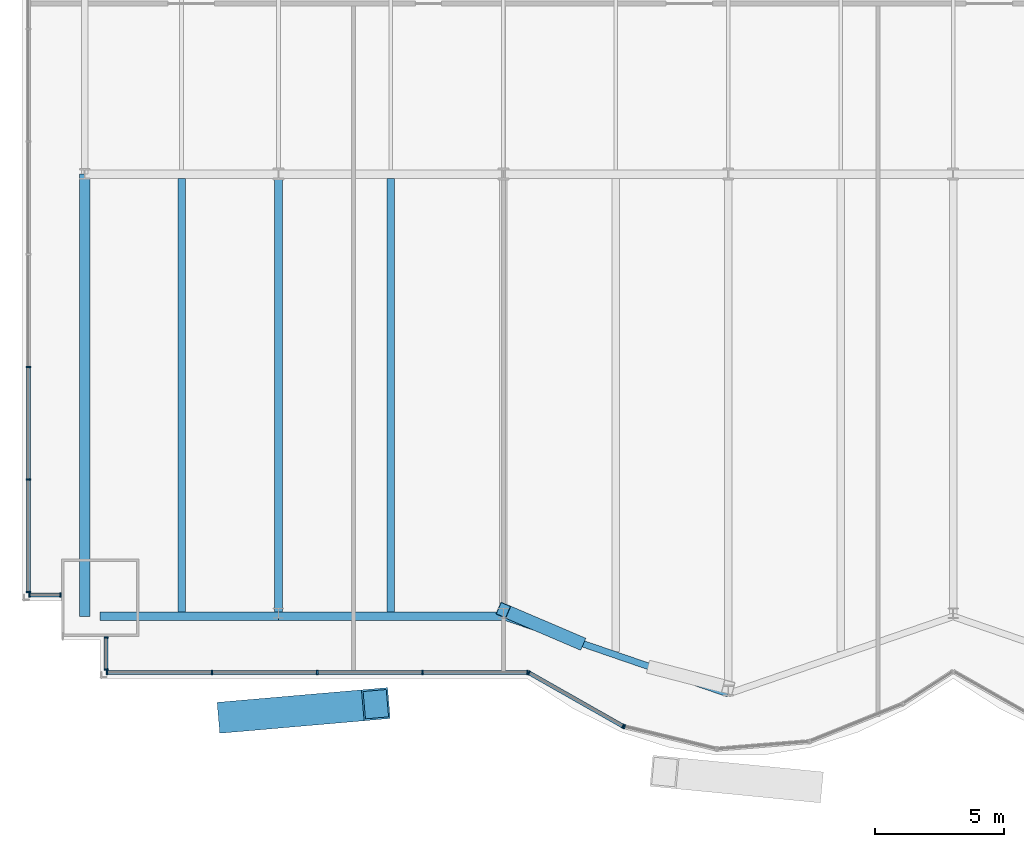
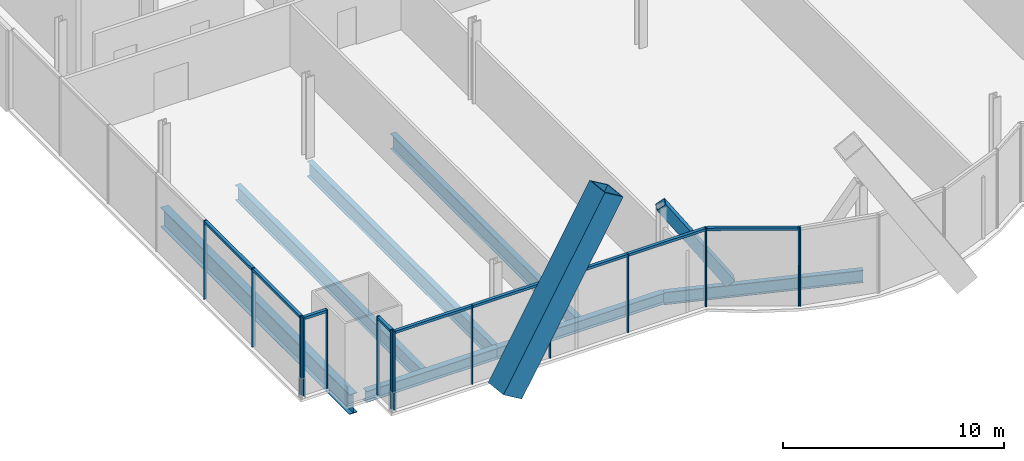
# One storey, part 4 of 23: 26 members, 7 beams, 5 elements without a shape of their own.
"""IFC4 building model written with IfcOpenShell, lengths in metres."""

import ifcopenshell
import ifcopenshell.guid

model = None  # the IFC model being written
_history = None  # IfcOwnerHistory: only IFC2X3 demands one
_inside = {}  # id of a spatial element -> (the spatial element, [elements in it])
_under = {}  # id of a project, library or spatial element -> (it, [spatial elements below it])
_declared = {}  # id of a project -> (the project, [libraries it declares])
_typed = {}  # id of a type object -> (the type object, [elements of that type])
_made_of = {}  # id of a material, layer set ... -> (it, [elements and type objects made of it])


def new_model(schema):
    """Start an empty IFC model of exactly this schema.

    Asked for "IFC4X3", IfcOpenShell would pick the latest addendum, in which some entities
    have other attributes; the version numbers below select the first issue.
    IFC2X3 requires an IfcOwnerHistory on every rooted entity: one is made here for all.
    """
    global model, _history
    if schema == "IFC4X3":
        model = ifcopenshell.file(schema_version=(4, 3, 0, 0))
    else:
        model = ifcopenshell.file(schema=schema)
    _inside.clear()
    _under.clear()
    _declared.clear()
    _typed.clear()
    _made_of.clear()
    _history = None
    if model.schema == "IFC2X3":
        org = make("IfcOrganization", Name="unknown")
        user = make(
            "IfcPersonAndOrganization",
            ThePerson=make("IfcPerson", FamilyName="unknown"),
            TheOrganization=org,
        )
        app = make(
            "IfcApplication",
            ApplicationDeveloper=org,
            Version="unknown",
            ApplicationFullName="unknown",
            ApplicationIdentifier="unknown",
        )
        _history = make(
            "IfcOwnerHistory",
            OwningUser=user,
            OwningApplication=app,
            ChangeAction="ADDED",
            CreationDate=0,
        )
    return model


def make(cls, **values):
    """One entity of the class cls with the attributes given. An attribute that is None is left unset."""
    return model.create_entity(
        cls, **{name: value for name, value in values.items() if value is not None}
    )


def rooted(cls, **values):
    """An entity with a GlobalId (a new one), such as an element, a storey or a relation."""
    return make(cls, GlobalId=ifcopenshell.guid.new(), OwnerHistory=_history, **values)


def si_unit(unit_type, name, prefix=None):
    """IfcSIUnit, for example si_unit("LENGTHUNIT", "METRE", prefix="MILLI")."""
    return make("IfcSIUnit", UnitType=unit_type, Prefix=prefix, Name=name)


def assignment(units):
    """IfcUnitAssignment: the units of a project."""
    return None if units is None else make("IfcUnitAssignment", Units=units)


def point(xyz):
    """IfcCartesianPoint."""
    return None if xyz is None else make("IfcCartesianPoint", Coordinates=xyz)


def direction(xyz):
    """IfcDirection."""
    return None if xyz is None else make("IfcDirection", DirectionRatios=xyz)


def frame(location, z_axis=None, x_axis=None):
    """IfcAxis2Placement3D, a coordinate frame: its origin and axes. An axis left out is left unset."""
    return make(
        "IfcAxis2Placement3D",
        Location=point(location),
        Axis=direction(z_axis),
        RefDirection=direction(x_axis),
    )


def frame_2d(location, x_axis=None):
    """IfcAxis2Placement2D, a coordinate frame in the plane: its origin and x axis."""
    return make(
        "IfcAxis2Placement2D", Location=point(location), RefDirection=direction(x_axis)
    )


def origin():
    """The frame at (0, 0, 0) with its axes left unset."""
    return frame((0.0, 0.0, 0.0))


def origin_2d():
    """The frame at (0, 0) in the plane with its x axis left unset."""
    return frame_2d((0.0, 0.0))


def place(relative_to, where):
    """IfcLocalPlacement: puts the frame where relative to a parent placement (None: the world)."""
    return make(
        "IfcLocalPlacement", PlacementRelTo=relative_to, RelativePlacement=where
    )


def context(
    kind, dimensions, precision=None, world=None, true_north=None, identifier=None
):
    """IfcGeometricRepresentationContext, for example the 3D "Model" context."""
    return make(
        "IfcGeometricRepresentationContext",
        ContextIdentifier=identifier,
        ContextType=kind,
        CoordinateSpaceDimension=dimensions,
        Precision=precision,
        WorldCoordinateSystem=world,
        TrueNorth=true_north,
    )


def subcontext(parent, identifier, kind, view, scale=None):
    """IfcGeometricRepresentationSubContext, for example "Body" below "Model"."""
    return make(
        "IfcGeometricRepresentationSubContext",
        ContextIdentifier=identifier,
        ContextType=kind,
        ParentContext=parent,
        TargetScale=scale,
        TargetView=view,
    )


def project(units=None, contexts=None):
    """IfcProject with its units and contexts."""
    return rooted(
        "IfcProject",
        Name="project",
        RepresentationContexts=contexts,
        UnitsInContext=assignment(units),
    )


def spatial(cls, under=None, at=None, **own):
    """A site, building, storey or space (cls), placed at a placement, below another one or the project."""
    s = rooted(cls, ObjectPlacement=at, **own)
    if under is not None:
        _under.setdefault(under.id(), (under, []))[1].append(s)
    return s


def profile(cls, at=None, kind="AREA", **sizes):
    """A parametric profile (cls). Its sizes go by their IFC names, for example OverallWidth=200.0."""
    return make(cls, ProfileType=kind, Position=at, **sizes)


def rectangle(**sizes):
    """IfcRectangleProfileDef."""
    return profile("IfcRectangleProfileDef", **sizes)


def hollow_rectangle(**sizes):
    """IfcRectangleHollowProfileDef."""
    return profile("IfcRectangleHollowProfileDef", **sizes)


def i_section(**sizes):
    """IfcIShapeProfileDef."""
    return profile("IfcIShapeProfileDef", **sizes)


def extrude(swept, where, along, depth):
    """IfcExtrudedAreaSolid: the profile swept, set in the frame where, extruded along a direction by depth."""
    return make(
        "IfcExtrudedAreaSolid",
        SweptArea=swept,
        Position=where,
        ExtrudedDirection=direction(along),
        Depth=depth,
    )


def shape(context_of_items, identifier, shape_type, items):
    """IfcShapeRepresentation: the items that make up one representation, for example the "Body"."""
    return make(
        "IfcShapeRepresentation",
        ContextOfItems=context_of_items,
        RepresentationIdentifier=identifier,
        RepresentationType=shape_type,
        Items=items,
    )


def material(Name=None, Category=None):
    """IfcMaterial."""
    return make("IfcMaterial", Name=Name, Category=Category)


def material_profile(
    of_material, cross_section, Name=None, Category=None, Priority=None
):
    """IfcMaterialProfile: a cross section and its material."""
    return make(
        "IfcMaterialProfile",
        Name=Name,
        Material=of_material,
        Profile=cross_section,
        Priority=Priority,
        Category=Category,
    )


def profile_set(profiles, Name=None, composite=None):
    """IfcMaterialProfileSet."""
    return make(
        "IfcMaterialProfileSet",
        Name=Name,
        MaterialProfiles=profiles,
        CompositeProfile=composite,
    )


def made_of(thing, what):
    """Note that an element or type object is made of a material, layer set ...; save() writes the relation."""
    if what is not None:
        _made_of.setdefault(what.id(), (what, []))[1].append(thing)
    return thing


def type_object(cls, material=None, **own):
    """A type object (cls), such as IfcWallType, which elements share."""
    return made_of(rooted(cls, **own), material)


def element(
    cls,
    number,
    at=None,
    inside=None,
    cuts=None,
    type_object=None,
    material=None,
    context=None,
    identifier="Body",
    shape_type=None,
    held_by="IfcProductDefinitionShape",
    body=None,
    shapes=None,
    **own,
):
    """One element of the class cls, such as IfcWall. Its Tag is "e" and its number.

    at: its placement. inside: the storey or other place that contains it. cuts: it is an
    opening in that element (IfcRelVoidsElement). A single representation is given by context,
    identifier, shape_type and body (its items); several are given by shapes. held_by: the class
    of the entity that holds the representations. save() writes the other relations.
    """
    e = rooted(cls, Tag="e%d" % number, ObjectPlacement=at, **own)
    if body is not None:
        shapes = [shape(context, identifier, shape_type, body)]
    if shapes is not None:
        e.Representation = make(held_by, Representations=shapes)
    if inside is not None:
        _inside.setdefault(inside.id(), (inside, []))[1].append(e)
    if cuts is not None:
        rooted(
            "IfcRelVoidsElement", RelatingBuildingElement=cuts, RelatedOpeningElement=e
        )
    if type_object is not None:
        _typed.setdefault(type_object.id(), (type_object, []))[1].append(e)
    return made_of(e, material)


def aggregate(whole, parts):
    """IfcRelAggregates: a whole, such as a stair, and the parts it consists of."""
    return rooted("IfcRelAggregates", RelatingObject=whole, RelatedObjects=parts)


def save(model, path):
    """Write the relations noted so far, then the file.

    IfcRelAggregates (storeys below a building ...), IfcRelContainedInSpatialStructure (elements
    in a storey), IfcRelDefinesByType, IfcRelAssociatesMaterial and IfcRelDeclares: one each for
    every whole, place, type object, material and project.
    """
    for whole, parts in _under.values():
        aggregate(whole, parts)
    for where, things in _inside.values():
        rooted(
            "IfcRelContainedInSpatialStructure",
            RelatedElements=things,
            RelatingStructure=where,
        )
    for kind, things in _typed.values():
        rooted("IfcRelDefinesByType", RelatedObjects=things, RelatingType=kind)
    for what, things in _made_of.values():
        rooted("IfcRelAssociatesMaterial", RelatedObjects=things, RelatingMaterial=what)
    for by, libraries in _declared.values():
        rooted("IfcRelDeclares", RelatingContext=by, RelatedDefinitions=libraries)
    model.write(path)


model = new_model("IFC4")

# Units and contexts
model_context = context("Model", 3, precision=1e-05, world=origin(), true_north=direction((0.0, 1.0)))
body_context = subcontext(model_context, "Body", "Model", "MODEL_VIEW")
ifc_project = project(units=[si_unit("LENGTHUNIT", "METRE"), si_unit("AREAUNIT", "SQUARE_METRE"), si_unit("VOLUMEUNIT", "CUBIC_METRE"), si_unit("PLANEANGLEUNIT", "RADIAN"), si_unit("MASSUNIT", "GRAM", prefix="KILO")], contexts=[model_context])

# Site, building, storey
site_placement = place(None, origin())
site = spatial("IfcSite", under=ifc_project, at=site_placement, CompositionType="ELEMENT")
building_placement = place(site_placement, origin())
building = spatial("IfcBuilding", under=site, at=building_placement, Name="Bicima Exchange Tower", CompositionType="ELEMENT")
storey_placement = place(building_placement, frame((0.0, 0.0, 44.0)))
storey = spatial("IfcBuildingStorey", under=building, at=storey_placement, Name="L08", CompositionType="ELEMENT", Elevation=44.0)

# Curtain wall, members
ifc_material_1 = material(Name="Anodised bronze aluminium", Category="aluminium")
curtain_wall_type_1 = type_object("IfcCurtainWallType", Name="End face glass wall", PredefinedType="NOTDEFINED", material=ifc_material_1)
curtain_wall_1_placement = place(storey_placement, origin())
curtain_wall_1 = element("IfcCurtainWall", 1, at=curtain_wall_1_placement, inside=storey, type_object=curtain_wall_type_1, Name="End face glass wall L08 run 2", PredefinedType="NOTDEFINED")
ifc_material_profile_1 = material_profile(ifc_material_1, rectangle(XDim=0.159912109375, YDim=0.06005859375, at=origin_2d()))
ifc_profile_set_1 = profile_set([ifc_material_profile_1], Name="Anodised bronze aluminium")
member_type_1 = type_object("IfcMemberType", Name="End face glass wall mullion 60 x 160", PredefinedType="MULLION", material=ifc_profile_set_1)
member_1_placement = place(storey_placement, frame((-35.77001953125, -29.4580078125, 0.0), z_axis=(0.0, 0.0, 1.0), x_axis=(1.0, 0.0, 0.0)))
member_1 = element("IfcMember", 2, at=member_1_placement, type_object=member_type_1, Name="End face glass wall mullion 5", PredefinedType="MULLION", context=body_context, shape_type="SweptSolid", body=[
    extrude(rectangle(XDim=0.159912109375, YDim=0.06005859375, at=origin_2d()), origin(), (0.0, 0.0, 1.0), 4.35009765625),
])
member_2_placement = place(storey_placement, frame((-35.77001953125, -33.81494140625, 0.0), z_axis=(0.0, 0.0, 1.0), x_axis=(1.0, 0.0, 0.0)))
member_2 = element("IfcMember", 3, at=member_2_placement, type_object=member_type_1, Name="End face glass wall mullion 6", PredefinedType="MULLION", context=body_context, shape_type="SweptSolid", body=[
    extrude(rectangle(XDim=0.159912109375, YDim=0.06005859375, at=origin_2d()), origin(), (0.0, 0.0, 1.0), 4.35009765625),
])
member_3_placement = place(storey_placement, frame((-35.77001953125, -38.172119140625, 0.0), z_axis=(0.0, 0.0, 1.0), x_axis=(1.0, 0.0, 0.0)))
member_3 = element("IfcMember", 4, at=member_3_placement, type_object=member_type_1, Name="End face glass wall mullion 7", PredefinedType="MULLION", context=body_context, shape_type="SweptSolid", body=[
    extrude(rectangle(XDim=0.159912109375, YDim=0.06005859375, at=origin_2d()), origin(), (0.0, 0.0, 1.0), 4.35009765625),
])
ifc_material_profile_2 = material_profile(ifc_material_1, rectangle(XDim=0.159912109375, YDim=0.139892578125, at=origin_2d()))
ifc_profile_set_2 = profile_set([ifc_material_profile_2], Name="Anodised bronze aluminium")
member_type_2 = type_object("IfcMemberType", Name="End face glass wall transom 140 x 160", PredefinedType="USERDEFINED", material=ifc_profile_set_2)
member_4_placement = place(storey_placement, frame((-35.77001953125, -29.488037109375, 4.280029296875), z_axis=(0.0, -1.0, 0.0), x_axis=(1.0, 0.0, 0.0)))
member_4 = element("IfcMember", 5, at=member_4_placement, type_object=member_type_2, Name="End face glass wall transom 5.1", ObjectType="TRANSOM", PredefinedType="USERDEFINED", context=body_context, shape_type="SweptSolid", body=[
    extrude(rectangle(XDim=0.159912109375, YDim=0.139892578125, at=origin_2d()), origin(), (0.0, 0.0, 1.0), 4.296875),
])
member_5_placement = place(storey_placement, frame((-35.77001953125, -33.844970703125, 4.280029296875), z_axis=(0.0, -1.0, 0.0), x_axis=(1.0, 0.0, 0.0)))
member_5 = element("IfcMember", 6, at=member_5_placement, type_object=member_type_2, Name="End face glass wall transom 6.1", ObjectType="TRANSOM", PredefinedType="USERDEFINED", context=body_context, shape_type="SweptSolid", body=[
    extrude(rectangle(XDim=0.159912109375, YDim=0.139892578125, at=origin_2d()), origin(), (0.0, 0.0, 1.0), 4.297119140625),
])
aggregate(curtain_wall_1, [member_1, member_2, member_3, member_4, member_5])

# Beam
ifc_material_2 = material(Name="Steel ASTM A992 Gr 50", Category="steel")
ifc_material_profile_3 = material_profile(ifc_material_2, i_section(OverallWidth=0.4013671875, OverallDepth=1.089599609375, WebThickness=0.01806640625, FlangeThickness=0.031005859375, at=origin_2d()))
ifc_profile_set_3 = profile_set([ifc_material_profile_3], Name="Steel ASTM A992 Gr 50")
beam_type_1 = type_object("IfcBeamType", Name="End girder W44x230", PredefinedType="BEAM", material=ifc_profile_set_3)
beam_1_placement = place(storey_placement, frame((-33.60009765625, -22.0, -0.69482421875), z_axis=(0.0, -1.0, 0.0), x_axis=(1.0, 0.0, 0.0)))
element("IfcBeam", 7, at=beam_1_placement, inside=storey, type_object=beam_type_1, Name="End girder", PredefinedType="BEAM", context=body_context, shape_type="SweptSolid", body=[
    extrude(i_section(OverallWidth=0.4013671875, OverallDepth=1.089599609375, WebThickness=0.01806640625, FlangeThickness=0.031005859375, at=origin_2d()), origin(), (0.0, 0.0, 1.0), 17.112060546875),
])

# Member
ifc_material_3 = material(Name="Steel ASTM A572 Gr 50", Category="steel")
ifc_material_profile_4 = material_profile(ifc_material_3, hollow_rectangle(XDim=1.199951171875, YDim=1.199951171875, WallThickness=0.070068359375, at=origin_2d()))
ifc_profile_set_4 = profile_set([ifc_material_profile_4], Name="Steel ASTM A572 Gr 50")
member_type_3 = type_object("IfcMemberType", Name="Exo mega brace BOX 1200x1200x70", PredefinedType="BRACE", material=ifc_profile_set_4)
member_6_placement = place(storey_placement, frame((-27.916748046875, -42.99169921875, 0.375), z_axis=(0.529804339421, 0.045914831689, 0.846876136257), x_axis=(-0.086340124838, 0.996265718994, 0.0)))
element("IfcMember", 8, at=member_6_placement, inside=storey, type_object=member_type_3, Name="Exo mega brace front", PredefinedType="BRACE", context=body_context, shape_type="SweptSolid", body=[
    extrude(hollow_rectangle(XDim=1.199951171875, YDim=1.199951171875, WallThickness=0.070068359375, at=origin_2d()), origin(), (0.0, 0.0, 1.0), 10.538818359375),
])

# Beams
ifc_material_profile_5 = material_profile(ifc_material_2, i_section(OverallWidth=0.2919921875, OverallDepth=0.835693359375, WebThickness=0.013916015625, FlangeThickness=0.018798828125, at=origin_2d()))
ifc_profile_set_5 = profile_set([ifc_material_profile_5], Name="Steel ASTM A992 Gr 50")
beam_type_2 = type_object("IfcBeamType", Name="Floor beam W33x118", PredefinedType="JOIST", material=ifc_profile_set_5)
for number, where, z_axis, x_axis, name in (
    (9, (-29.85009765625, -22.16259765625, -0.56787109375), (0.0, -1.0, 0.0), (1.0, 0.0, 0.0), "Floor beam"),
    (10, (-26.10009765625, -22.16259765625, -0.56787109375), (0.0, -1.0, 0.0), (1.0, 0.0, 0.0), "Floor beam"),
    (11, (-21.75, -22.16259765625, -0.56787109375), (0.0, -1.0, 0.0), (1.0, 0.0, 0.0), "Floor beam"),
):
    element("IfcBeam", number, at=place(storey_placement, frame(where, z_axis=z_axis, x_axis=x_axis)), inside=storey, type_object=beam_type_2, Name=name, PredefinedType="JOIST", context=body_context, shape_type="SweptSolid", body=[
        extrude(i_section(OverallWidth=0.2919921875, OverallDepth=0.835693359375, WebThickness=0.013916015625, FlangeThickness=0.018798828125, at=origin_2d()), origin(), (0.0, 0.0, 1.0), 16.786865234375),
    ])
ifc_material_profile_6 = material_profile(ifc_material_2, i_section(OverallWidth=0.3251953125, OverallDepth=0.612060546875, WebThickness=0.0126953125, FlangeThickness=0.01904296875, at=origin_2d()))
ifc_profile_set_6 = profile_set([ifc_material_profile_6], Name="Steel ASTM A992 Gr 50")
beam_type_3 = type_object("IfcBeamType", Name="Front girder W24x104", PredefinedType="BEAM", material=ifc_profile_set_6)
beam_2_placement = place(storey_placement, frame((-33.0, -39.112060546875, -0.4560546875), z_axis=(1.0, 0.0, 0.0), x_axis=(0.0, 1.0, 0.0)))
element("IfcBeam", 12, at=beam_2_placement, inside=storey, type_object=beam_type_3, Name="Front girder", PredefinedType="BEAM", context=body_context, shape_type="SweptSolid", body=[
    extrude(i_section(OverallWidth=0.3251953125, OverallDepth=0.612060546875, WebThickness=0.0126953125, FlangeThickness=0.01904296875, at=origin_2d()), origin(), (0.0, 0.0, 1.0), 6.89990234375),
])
beam_3_placement = place(storey_placement, frame((-26.10009765625, -39.112060546875, -0.4560546875), z_axis=(1.0, 0.0, 0.0), x_axis=(0.0, 1.0, 0.0)))
element("IfcBeam", 13, at=beam_3_placement, inside=storey, type_object=beam_type_3, Name="Front girder", PredefinedType="BEAM", context=body_context, shape_type="SweptSolid", body=[
    extrude(i_section(OverallWidth=0.3251953125, OverallDepth=0.612060546875, WebThickness=0.0126953125, FlangeThickness=0.01904296875, at=origin_2d()), origin(), (0.0, 0.0, 1.0), 8.7001953125),
])
ifc_material_profile_7 = material_profile(ifc_material_2, i_section(OverallWidth=0.256591796875, OverallDepth=0.693359375, WebThickness=0.014404296875, FlangeThickness=0.023681640625, at=origin_2d()))
ifc_profile_set_7 = profile_set([ifc_material_profile_7], Name="Steel ASTM A992 Gr 50")
beam_type_4 = type_object("IfcBeamType", Name="Front girder W27x114", PredefinedType="BEAM", material=ifc_profile_set_7)
beam_4_placement = place(storey_placement, frame((-17.39990234375, -39.112060546875, -0.49658203125), z_axis=(0.945674616091, -0.32511462668, 0.0), x_axis=(0.32511462668, 0.945674616091, 0.0)))
element("IfcBeam", 14, at=beam_4_placement, inside=storey, type_object=beam_type_4, Name="Front girder", PredefinedType="BEAM", context=body_context, shape_type="SweptSolid", body=[
    extrude(i_section(OverallWidth=0.256591796875, OverallDepth=0.693359375, WebThickness=0.014404296875, FlangeThickness=0.023681640625, at=origin_2d()), origin(), (0.0, 0.0, 1.0), 9.19970703125),
])

# Curtain wall, members
curtain_wall_type_2 = type_object("IfcCurtainWallType", Name="Front glass wall", PredefinedType="NOTDEFINED", material=ifc_material_1)
curtain_wall_2_placement = place(storey_placement, origin())
curtain_wall_2 = element("IfcCurtainWall", 15, at=curtain_wall_2_placement, inside=storey, type_object=curtain_wall_type_2, Name="Front glass wall L08 run 3", PredefinedType="NOTDEFINED")
member_type_4 = type_object("IfcMemberType", Name="Front glass wall mullion 60 x 160", PredefinedType="MULLION", material=ifc_profile_set_1)
member_7_placement = place(storey_placement, frame((-35.739990234375, -38.281982421875, 0.0), z_axis=(0.0, 0.0, 1.0), x_axis=(0.0, 1.0, 0.0)))
member_7 = element("IfcMember", 16, at=member_7_placement, type_object=member_type_4, Name="Front glass wall mullion 1", PredefinedType="MULLION", context=body_context, shape_type="SweptSolid", body=[
    extrude(rectangle(XDim=0.159912109375, YDim=0.06005859375, at=origin_2d()), origin(), (0.0, 0.0, 1.0), 4.35009765625),
])
member_8_placement = place(storey_placement, frame((-34.530029296875, -38.281982421875, 0.0), z_axis=(0.0, 0.0, 1.0), x_axis=(0.0, 1.0, 0.0)))
member_8 = element("IfcMember", 17, at=member_8_placement, type_object=member_type_4, Name="Front glass wall mullion 2", PredefinedType="MULLION", context=body_context, shape_type="SweptSolid", body=[
    extrude(rectangle(XDim=0.159912109375, YDim=0.06005859375, at=origin_2d()), origin(), (0.0, 0.0, 1.0), 4.35009765625),
])

curtain_wall_3_placement = place(storey_placement, origin())
curtain_wall_3 = element("IfcCurtainWall", 18, at=curtain_wall_3_placement, inside=storey, type_object=curtain_wall_type_2, Name="Front glass wall L08 run 4", PredefinedType="NOTDEFINED")
member_9_placement = place(storey_placement, frame((-32.77001953125, -39.919921875, 0.0), z_axis=(0.0, 0.0, 1.0), x_axis=(1.0, 0.0, 0.0)))
member_9 = element("IfcMember", 19, at=member_9_placement, type_object=member_type_4, Name="Front glass wall mullion 1", PredefinedType="MULLION", context=body_context, shape_type="SweptSolid", body=[
    extrude(rectangle(XDim=0.159912109375, YDim=0.06005859375, at=origin_2d()), origin(), (0.0, 0.0, 1.0), 4.35009765625),
])
member_10_placement = place(storey_placement, frame((-32.77001953125, -41.172119140625, 0.0), z_axis=(0.0, 0.0, 1.0), x_axis=(1.0, 0.0, 0.0)))
member_10 = element("IfcMember", 20, at=member_10_placement, type_object=member_type_4, Name="Front glass wall mullion 2", PredefinedType="MULLION", context=body_context, shape_type="SweptSolid", body=[
    extrude(rectangle(XDim=0.159912109375, YDim=0.06005859375, at=origin_2d()), origin(), (0.0, 0.0, 1.0), 4.35009765625),
])

curtain_wall_4_placement = place(storey_placement, origin())
curtain_wall_4 = element("IfcCurtainWall", 21, at=curtain_wall_4_placement, inside=storey, type_object=curtain_wall_type_2, Name="Front glass wall L08 run 5", PredefinedType="NOTDEFINED")
member_11_placement = place(storey_placement, frame((-32.739990234375, -41.281982421875, 0.0), z_axis=(0.0, 0.0, 1.0), x_axis=(0.0, 1.0, 0.0)))
member_11 = element("IfcMember", 22, at=member_11_placement, type_object=member_type_4, Name="Front glass wall mullion 1", PredefinedType="MULLION", context=body_context, shape_type="SweptSolid", body=[
    extrude(rectangle(XDim=0.159912109375, YDim=0.06005859375, at=origin_2d()), origin(), (0.0, 0.0, 1.0), 4.35009765625),
])
member_12_placement = place(storey_placement, frame((-28.67041015625, -41.281982421875, 0.0), z_axis=(0.0, 0.0, 1.0), x_axis=(0.0, 1.0, 0.0)))
member_12 = element("IfcMember", 23, at=member_12_placement, type_object=member_type_4, Name="Front glass wall mullion 2", PredefinedType="MULLION", context=body_context, shape_type="SweptSolid", body=[
    extrude(rectangle(XDim=0.159912109375, YDim=0.06005859375, at=origin_2d()), origin(), (0.0, 0.0, 1.0), 4.35009765625),
])
member_13_placement = place(storey_placement, frame((-24.60107421875, -41.281982421875, 0.0), z_axis=(0.0, 0.0, 1.0), x_axis=(0.0, 1.0, 0.0)))
member_13 = element("IfcMember", 24, at=member_13_placement, type_object=member_type_4, Name="Front glass wall mullion 3", PredefinedType="MULLION", context=body_context, shape_type="SweptSolid", body=[
    extrude(rectangle(XDim=0.159912109375, YDim=0.06005859375, at=origin_2d()), origin(), (0.0, 0.0, 1.0), 4.35009765625),
])
member_14_placement = place(storey_placement, frame((-20.531494140625, -41.281982421875, 0.0), z_axis=(0.0, 0.0, 1.0), x_axis=(0.0, 1.0, 0.0)))
member_14 = element("IfcMember", 25, at=member_14_placement, type_object=member_type_4, Name="Front glass wall mullion 4", PredefinedType="MULLION", context=body_context, shape_type="SweptSolid", body=[
    extrude(rectangle(XDim=0.159912109375, YDim=0.06005859375, at=origin_2d()), origin(), (0.0, 0.0, 1.0), 4.35009765625),
])
member_15_placement = place(storey_placement, frame((-16.462158203125, -41.281982421875, 0.0), z_axis=(0.0, 0.0, 1.0), x_axis=(0.0, 1.0, 0.0)))
member_15 = element("IfcMember", 26, at=member_15_placement, type_object=member_type_4, Name="Front glass wall mullion 5", PredefinedType="MULLION", context=body_context, shape_type="SweptSolid", body=[
    extrude(rectangle(XDim=0.159912109375, YDim=0.06005859375, at=origin_2d()), origin(), (0.0, 0.0, 1.0), 4.35009765625),
])

curtain_wall_5_placement = place(storey_placement, origin())
curtain_wall_5 = element("IfcCurtainWall", 27, at=curtain_wall_5_placement, inside=storey, type_object=curtain_wall_type_2, Name="Front glass wall L08 run 6", PredefinedType="NOTDEFINED")
member_16_placement = place(storey_placement, frame((-16.406005859375, -41.296875, 0.0), z_axis=(0.0, 0.0, 1.0), x_axis=(0.493395449343, 0.869805110681, 0.0)))
member_16 = element("IfcMember", 28, at=member_16_placement, type_object=member_type_4, Name="Front glass wall mullion 1", PredefinedType="MULLION", context=body_context, shape_type="SweptSolid", body=[
    extrude(rectangle(XDim=0.159912109375, YDim=0.06005859375, at=origin_2d()), origin(), (0.0, 0.0, 1.0), 4.35009765625),
])
member_17_placement = place(storey_placement, frame((-12.7734375, -43.357421875, 0.0), z_axis=(0.0, 0.0, 1.0), x_axis=(0.493395449343, 0.869805110681, 0.0)))
member_17 = element("IfcMember", 29, at=member_17_placement, type_object=member_type_4, Name="Front glass wall mullion 2", PredefinedType="MULLION", context=body_context, shape_type="SweptSolid", body=[
    extrude(rectangle(XDim=0.159912109375, YDim=0.06005859375, at=origin_2d()), origin(), (0.0, 0.0, 1.0), 4.35009765625),
])
member_18_placement = place(storey_placement, frame((-12.718017578125, -43.37939453125, 0.0), z_axis=(0.0, 0.0, 1.0), x_axis=(0.235681529503, 0.971830343553, 0.0)))
member_18 = element("IfcMember", 30, at=member_18_placement, type_object=member_type_4, Name="Front glass wall mullion 1", PredefinedType="MULLION", context=body_context, shape_type="SweptSolid", body=[
    extrude(rectangle(XDim=0.159912109375, YDim=0.06005859375, at=origin_2d()), origin(), (0.0, 0.0, 1.0), 4.35009765625),
])

# Member
member_type_5 = type_object("IfcMemberType", Name="Front glass wall transom 140 x 160", PredefinedType="USERDEFINED", material=ifc_profile_set_2)
member_19_placement = place(storey_placement, frame((-35.7099609375, -38.281982421875, 4.280029296875), z_axis=(1.0, 0.0, 0.0), x_axis=(0.0, 1.0, 0.0)))
member_19 = element("IfcMember", 31, at=member_19_placement, type_object=member_type_5, Name="Front glass wall transom 1.1", ObjectType="TRANSOM", PredefinedType="USERDEFINED", context=body_context, shape_type="SweptSolid", body=[
    extrude(rectangle(XDim=0.159912109375, YDim=0.139892578125, at=origin_2d()), origin(), (0.0, 0.0, 1.0), 1.14990234375),
])

aggregate(curtain_wall_2, [member_7, member_8, member_19])

member_20_placement = place(storey_placement, frame((-32.77001953125, -39.949951171875, 4.280029296875), z_axis=(0.0, -1.0, 0.0), x_axis=(1.0, 0.0, 0.0)))
member_20 = element("IfcMember", 32, at=member_20_placement, type_object=member_type_5, Name="Front glass wall transom 1.1", ObjectType="TRANSOM", PredefinedType="USERDEFINED", context=body_context, shape_type="SweptSolid", body=[
    extrude(rectangle(XDim=0.159912109375, YDim=0.139892578125, at=origin_2d()), origin(), (0.0, 0.0, 1.0), 1.192138671875),
])

aggregate(curtain_wall_3, [member_9, member_10, member_20])

member_21_placement = place(storey_placement, frame((-32.7099609375, -41.281982421875, 4.280029296875), z_axis=(1.0, 0.0, 0.0), x_axis=(0.0, 1.0, 0.0)))
member_21 = element("IfcMember", 33, at=member_21_placement, type_object=member_type_5, Name="Front glass wall transom 1.1", ObjectType="TRANSOM", PredefinedType="USERDEFINED", context=body_context, shape_type="SweptSolid", body=[
    extrude(rectangle(XDim=0.159912109375, YDim=0.139892578125, at=origin_2d()), origin(), (0.0, 0.0, 1.0), 4.009521484375),
])

member_22_placement = place(storey_placement, frame((-28.640380859375, -41.281982421875, 4.280029296875), z_axis=(1.0, 0.0, 0.0), x_axis=(0.0, 1.0, 0.0)))
member_22 = element("IfcMember", 34, at=member_22_placement, type_object=member_type_5, Name="Front glass wall transom 2.1", ObjectType="TRANSOM", PredefinedType="USERDEFINED", context=body_context, shape_type="SweptSolid", body=[
    extrude(rectangle(XDim=0.159912109375, YDim=0.139892578125, at=origin_2d()), origin(), (0.0, 0.0, 1.0), 4.00927734375),
])

member_23_placement = place(storey_placement, frame((-24.571044921875, -41.281982421875, 4.280029296875), z_axis=(1.0, 0.0, 0.0), x_axis=(0.0, 1.0, 0.0)))
member_23 = element("IfcMember", 35, at=member_23_placement, type_object=member_type_5, Name="Front glass wall transom 3.1", ObjectType="TRANSOM", PredefinedType="USERDEFINED", context=body_context, shape_type="SweptSolid", body=[
    extrude(rectangle(XDim=0.159912109375, YDim=0.139892578125, at=origin_2d()), origin(), (0.0, 0.0, 1.0), 4.009521484375),
])

member_24_placement = place(storey_placement, frame((-20.501708984375, -41.281982421875, 4.280029296875), z_axis=(1.0, 0.0, 0.0), x_axis=(0.0, 1.0, 0.0)))
member_24 = element("IfcMember", 36, at=member_24_placement, type_object=member_type_5, Name="Front glass wall transom 4.1", ObjectType="TRANSOM", PredefinedType="USERDEFINED", context=body_context, shape_type="SweptSolid", body=[
    extrude(rectangle(XDim=0.159912109375, YDim=0.139892578125, at=origin_2d()), origin(), (0.0, 0.0, 1.0), 4.009521484375),
])

aggregate(curtain_wall_4, [member_11, member_12, member_13, member_14, member_15, member_21, member_22, member_23, member_24])

member_25_placement = place(storey_placement, frame((-16.3798828125, -41.3115234375, 4.280029296875), z_axis=(0.869797371721, -0.49340909208, 0.0), x_axis=(0.49340909208, 0.869797371721, 0.0)))
member_25 = element("IfcMember", 37, at=member_25_placement, type_object=member_type_5, Name="Front glass wall transom 1.1", ObjectType="TRANSOM", PredefinedType="USERDEFINED", context=body_context, shape_type="SweptSolid", body=[
    extrude(rectangle(XDim=0.159912109375, YDim=0.139892578125, at=origin_2d()), origin(), (0.0, 0.0, 1.0), 4.1162109375),
])

aggregate(curtain_wall_5, [member_16, member_17, member_25, member_18])

ifc_material_profile_8 = material_profile(ifc_material_3, hollow_rectangle(XDim=0.508056640625, YDim=0.508056640625, WallThickness=0.017822265625, at=origin_2d()))
ifc_profile_set_8 = profile_set([ifc_material_profile_8], Name="Steel ASTM A572 Gr 50")
member_type_6 = type_object("IfcMemberType", Name="Mega brace HSS20x20x3/4", PredefinedType="BRACE", material=ifc_profile_set_8)
member_26_placement = place(storey_placement, frame((-14.5, -40.10888671875, 0.0), z_axis=(-0.527696221197, 0.225819152412, 0.818866538905), x_axis=(-0.393424148395, -0.919357079409, 0.0)))
element("IfcMember", 38, at=member_26_placement, inside=storey, type_object=member_type_6, Name="Mega brace front", PredefinedType="BRACE", context=body_context, shape_type="SweptSolid", body=[
    extrude(hollow_rectangle(XDim=0.508056640625, YDim=0.508056640625, WallThickness=0.017822265625, at=origin_2d()), origin(), (0.0, 0.0, 1.0), 5.495361328125),
])

save(model, "model.ifc")
